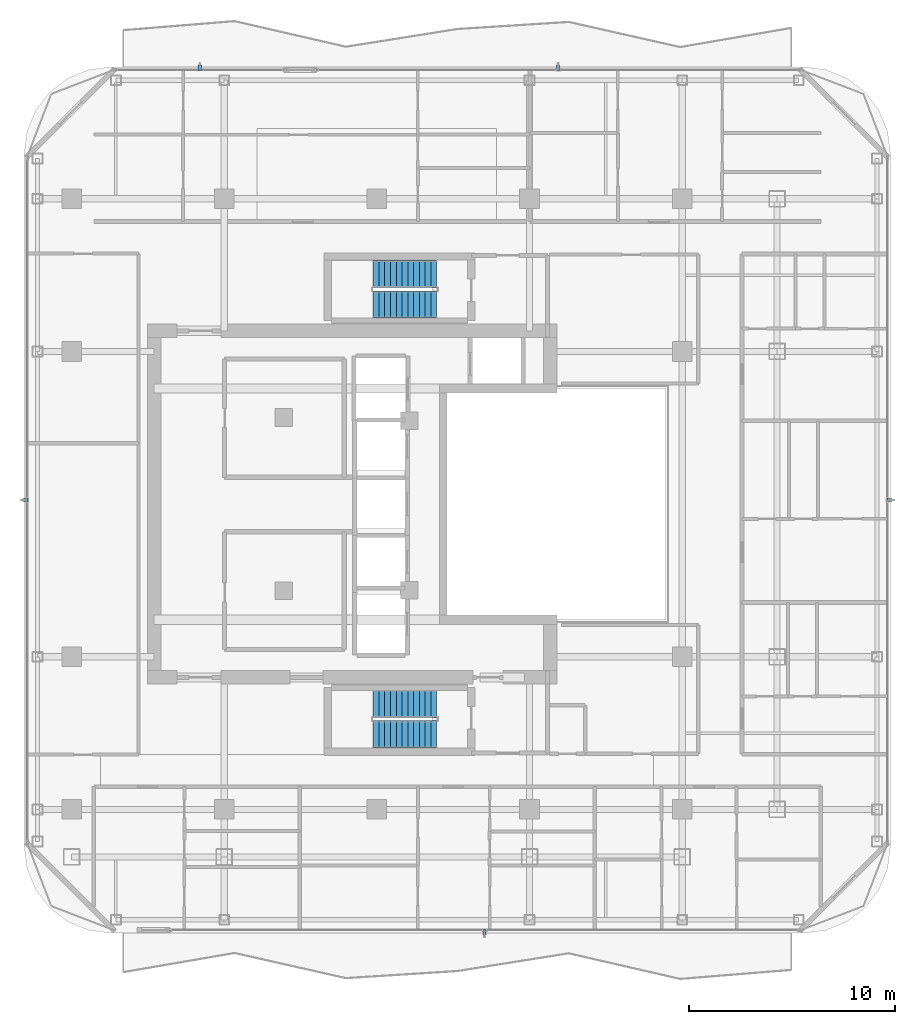
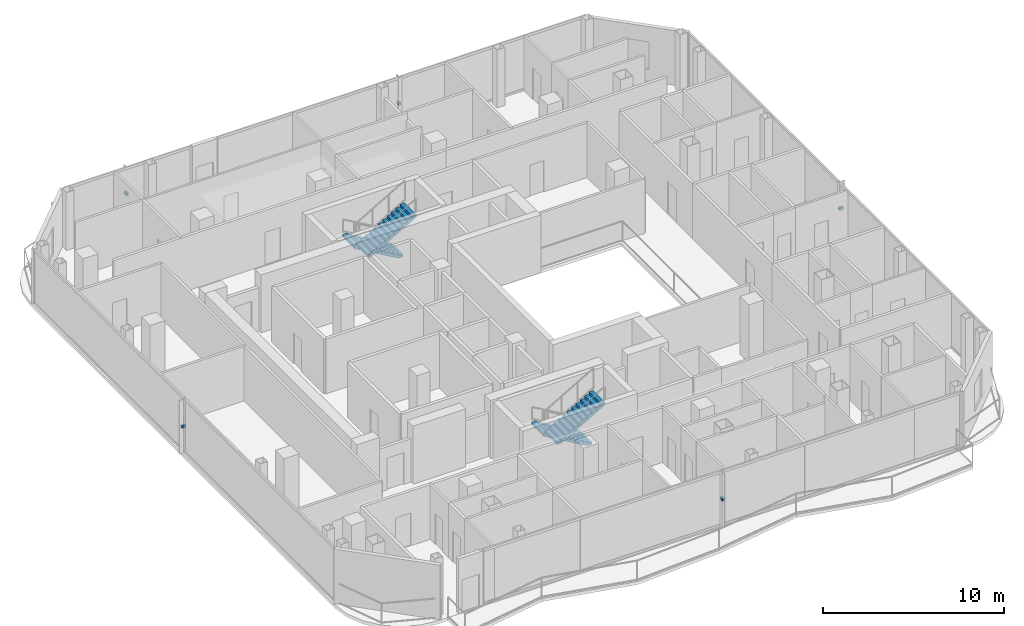
# One storey, part 21 of 26: 5 discrete accessories, 4 stair flights, 2 elements without a shape of their own.
"""IFC4 building model written with IfcOpenShell, lengths in metres."""

import ifcopenshell
import ifcopenshell.guid

model = None  # the IFC model being written
_history = None  # IfcOwnerHistory: only IFC2X3 demands one
_inside = {}  # id of a spatial element -> (the spatial element, [elements in it])
_under = {}  # id of a project, library or spatial element -> (it, [spatial elements below it])
_declared = {}  # id of a project -> (the project, [libraries it declares])
_typed = {}  # id of a type object -> (the type object, [elements of that type])
_made_of = {}  # id of a material, layer set ... -> (it, [elements and type objects made of it])


def new_model(schema):
    """Start an empty IFC model of exactly this schema.

    Asked for "IFC4X3", IfcOpenShell would pick the latest addendum, in which some entities
    have other attributes; the version numbers below select the first issue.
    IFC2X3 requires an IfcOwnerHistory on every rooted entity: one is made here for all.
    """
    global model, _history
    if schema == "IFC4X3":
        model = ifcopenshell.file(schema_version=(4, 3, 0, 0))
    else:
        model = ifcopenshell.file(schema=schema)
    _inside.clear()
    _under.clear()
    _declared.clear()
    _typed.clear()
    _made_of.clear()
    _history = None
    if model.schema == "IFC2X3":
        org = make("IfcOrganization", Name="unknown")
        user = make(
            "IfcPersonAndOrganization",
            ThePerson=make("IfcPerson", FamilyName="unknown"),
            TheOrganization=org,
        )
        app = make(
            "IfcApplication",
            ApplicationDeveloper=org,
            Version="unknown",
            ApplicationFullName="unknown",
            ApplicationIdentifier="unknown",
        )
        _history = make(
            "IfcOwnerHistory",
            OwningUser=user,
            OwningApplication=app,
            ChangeAction="ADDED",
            CreationDate=0,
        )
    return model


def make(cls, **values):
    """One entity of the class cls with the attributes given. An attribute that is None is left unset."""
    return model.create_entity(
        cls, **{name: value for name, value in values.items() if value is not None}
    )


def rooted(cls, **values):
    """An entity with a GlobalId (a new one), such as an element, a storey or a relation."""
    return make(cls, GlobalId=ifcopenshell.guid.new(), OwnerHistory=_history, **values)


def si_unit(unit_type, name, prefix=None):
    """IfcSIUnit, for example si_unit("LENGTHUNIT", "METRE", prefix="MILLI")."""
    return make("IfcSIUnit", UnitType=unit_type, Prefix=prefix, Name=name)


def assignment(units):
    """IfcUnitAssignment: the units of a project."""
    return None if units is None else make("IfcUnitAssignment", Units=units)


def point(xyz):
    """IfcCartesianPoint."""
    return None if xyz is None else make("IfcCartesianPoint", Coordinates=xyz)


def direction(xyz):
    """IfcDirection."""
    return None if xyz is None else make("IfcDirection", DirectionRatios=xyz)


def frame(location, z_axis=None, x_axis=None):
    """IfcAxis2Placement3D, a coordinate frame: its origin and axes. An axis left out is left unset."""
    return make(
        "IfcAxis2Placement3D",
        Location=point(location),
        Axis=direction(z_axis),
        RefDirection=direction(x_axis),
    )


def frame_2d(location, x_axis=None):
    """IfcAxis2Placement2D, a coordinate frame in the plane: its origin and x axis."""
    return make(
        "IfcAxis2Placement2D", Location=point(location), RefDirection=direction(x_axis)
    )


def origin():
    """The frame at (0, 0, 0) with its axes left unset."""
    return frame((0.0, 0.0, 0.0))


def origin_2d():
    """The frame at (0, 0) in the plane with its x axis left unset."""
    return frame_2d((0.0, 0.0))


def place(relative_to, where):
    """IfcLocalPlacement: puts the frame where relative to a parent placement (None: the world)."""
    return make(
        "IfcLocalPlacement", PlacementRelTo=relative_to, RelativePlacement=where
    )


def context(
    kind, dimensions, precision=None, world=None, true_north=None, identifier=None
):
    """IfcGeometricRepresentationContext, for example the 3D "Model" context."""
    return make(
        "IfcGeometricRepresentationContext",
        ContextIdentifier=identifier,
        ContextType=kind,
        CoordinateSpaceDimension=dimensions,
        Precision=precision,
        WorldCoordinateSystem=world,
        TrueNorth=true_north,
    )


def subcontext(parent, identifier, kind, view, scale=None):
    """IfcGeometricRepresentationSubContext, for example "Body" below "Model"."""
    return make(
        "IfcGeometricRepresentationSubContext",
        ContextIdentifier=identifier,
        ContextType=kind,
        ParentContext=parent,
        TargetScale=scale,
        TargetView=view,
    )


def project(units=None, contexts=None):
    """IfcProject with its units and contexts."""
    return rooted(
        "IfcProject",
        Name="project",
        RepresentationContexts=contexts,
        UnitsInContext=assignment(units),
    )


def spatial(cls, under=None, at=None, **own):
    """A site, building, storey or space (cls), placed at a placement, below another one or the project."""
    s = rooted(cls, ObjectPlacement=at, **own)
    if under is not None:
        _under.setdefault(under.id(), (under, []))[1].append(s)
    return s


def polyline(points):
    """IfcPolyline through the points."""
    return make("IfcPolyline", Points=[point(p) for p in points])


def profile(cls, at=None, kind="AREA", **sizes):
    """A parametric profile (cls). Its sizes go by their IFC names, for example OverallWidth=200.0."""
    return make(cls, ProfileType=kind, Position=at, **sizes)


def rectangle(**sizes):
    """IfcRectangleProfileDef."""
    return profile("IfcRectangleProfileDef", **sizes)


def outline(outer, holes=None, kind="AREA"):
    """IfcArbitraryClosedProfileDef: a profile drawn as a closed curve; with holes, ...WithVoids."""
    if holes is None:
        return make("IfcArbitraryClosedProfileDef", ProfileType=kind, OuterCurve=outer)
    return make(
        "IfcArbitraryProfileDefWithVoids",
        ProfileType=kind,
        OuterCurve=outer,
        InnerCurves=holes,
    )


def extrude(swept, where, along, depth):
    """IfcExtrudedAreaSolid: the profile swept, set in the frame where, extruded along a direction by depth."""
    return make(
        "IfcExtrudedAreaSolid",
        SweptArea=swept,
        Position=where,
        ExtrudedDirection=direction(along),
        Depth=depth,
    )


def shape(context_of_items, identifier, shape_type, items):
    """IfcShapeRepresentation: the items that make up one representation, for example the "Body"."""
    return make(
        "IfcShapeRepresentation",
        ContextOfItems=context_of_items,
        RepresentationIdentifier=identifier,
        RepresentationType=shape_type,
        Items=items,
    )


def material(Name=None, Category=None):
    """IfcMaterial."""
    return make("IfcMaterial", Name=Name, Category=Category)


def made_of(thing, what):
    """Note that an element or type object is made of a material, layer set ...; save() writes the relation."""
    if what is not None:
        _made_of.setdefault(what.id(), (what, []))[1].append(thing)
    return thing


def type_object(cls, material=None, **own):
    """A type object (cls), such as IfcWallType, which elements share."""
    return made_of(rooted(cls, **own), material)


def element(
    cls,
    number,
    at=None,
    inside=None,
    cuts=None,
    type_object=None,
    material=None,
    context=None,
    identifier="Body",
    shape_type=None,
    held_by="IfcProductDefinitionShape",
    body=None,
    shapes=None,
    **own,
):
    """One element of the class cls, such as IfcWall. Its Tag is "e" and its number.

    at: its placement. inside: the storey or other place that contains it. cuts: it is an
    opening in that element (IfcRelVoidsElement). A single representation is given by context,
    identifier, shape_type and body (its items); several are given by shapes. held_by: the class
    of the entity that holds the representations. save() writes the other relations.
    """
    e = rooted(cls, Tag="e%d" % number, ObjectPlacement=at, **own)
    if body is not None:
        shapes = [shape(context, identifier, shape_type, body)]
    if shapes is not None:
        e.Representation = make(held_by, Representations=shapes)
    if inside is not None:
        _inside.setdefault(inside.id(), (inside, []))[1].append(e)
    if cuts is not None:
        rooted(
            "IfcRelVoidsElement", RelatingBuildingElement=cuts, RelatedOpeningElement=e
        )
    if type_object is not None:
        _typed.setdefault(type_object.id(), (type_object, []))[1].append(e)
    return made_of(e, material)


def aggregate(whole, parts):
    """IfcRelAggregates: a whole, such as a stair, and the parts it consists of."""
    return rooted("IfcRelAggregates", RelatingObject=whole, RelatedObjects=parts)


def save(model, path):
    """Write the relations noted so far, then the file.

    IfcRelAggregates (storeys below a building ...), IfcRelContainedInSpatialStructure (elements
    in a storey), IfcRelDefinesByType, IfcRelAssociatesMaterial and IfcRelDeclares: one each for
    every whole, place, type object, material and project.
    """
    for whole, parts in _under.values():
        aggregate(whole, parts)
    for where, things in _inside.values():
        rooted(
            "IfcRelContainedInSpatialStructure",
            RelatedElements=things,
            RelatingStructure=where,
        )
    for kind, things in _typed.values():
        rooted("IfcRelDefinesByType", RelatedObjects=things, RelatingType=kind)
    for what, things in _made_of.values():
        rooted("IfcRelAssociatesMaterial", RelatedObjects=things, RelatingMaterial=what)
    for by, libraries in _declared.values():
        rooted("IfcRelDeclares", RelatingContext=by, RelatedDefinitions=libraries)
    model.write(path)


model = new_model("IFC4")

# Units and contexts
model_context = context("Model", 3, precision=1e-05, world=origin(), true_north=direction((0.0, 1.0)))
body_context = subcontext(model_context, "Body", "Model", "MODEL_VIEW")
ifc_project = project(units=[si_unit("LENGTHUNIT", "METRE"), si_unit("AREAUNIT", "SQUARE_METRE"), si_unit("VOLUMEUNIT", "CUBIC_METRE"), si_unit("PLANEANGLEUNIT", "RADIAN"), si_unit("MASSUNIT", "GRAM", prefix="KILO")], contexts=[model_context])

# Site, building, storey
site_placement = place(None, origin())
site = spatial("IfcSite", under=ifc_project, at=site_placement, CompositionType="ELEMENT")
building_placement = place(site_placement, origin())
building = spatial("IfcBuilding", under=site, at=building_placement, Name="Khorvyn Point Tower", CompositionType="ELEMENT")
storey_placement = place(building_placement, frame((0.0, 0.0, 262.5)))
storey = spatial("IfcBuildingStorey", under=building, at=storey_placement, Name="L64", CompositionType="ELEMENT", Elevation=262.5)

# Stair, stair flights
ifc_material_1 = material(Name="Concrete C40/50", Category="concrete")
stair_type = type_object("IfcStairType", Name="Tower Concrete C40/50 Dogleg Exit Stair", PredefinedType="HALF_TURN_STAIR", material=ifc_material_1)
stair_1_placement = place(storey_placement, origin())
stair_1 = element("IfcStair", 1, at=stair_1_placement, inside=storey, type_object=stair_type, Name="L64 Tower Smokeproof Exit Stair South", PredefinedType="HALF_TURN_STAIR")
stair_flight_type = type_object("IfcStairFlightType", Name="Tower Concrete C40/50 Stair Flight", PredefinedType="STRAIGHT", material=ifc_material_1)
stair_flight_1_placement = place(storey_placement, frame((2.89990234375, -9.679931640625, 0.0), z_axis=(0.0, 0.0, 1.0), x_axis=(-1.0, 0.0, 0.0)))
stair_flight_1 = element("IfcStairFlight", 2, at=stair_flight_1_placement, type_object=stair_flight_type, Name="ST-01 flight 1", NumberOfRisers=12, NumberOfTreads=11, PredefinedType="STRAIGHT", RiserHeight=0.1625, TreadLength=0.28, context=body_context, shape_type="SweptSolid", body=[
    extrude(outline(polyline([(0.0, 0.0), (0.0, 0.16259765625), (0.280029296875, 0.16259765625), (0.280029296875, 0.324951171875), (0.56005859375, 0.324951171875), (0.56005859375, 0.487548828125), (0.840087890625, 0.487548828125), (0.840087890625, 0.64990234375), (1.1201171875, 0.64990234375), (1.1201171875, 0.8125), (1.39990234375, 0.8125), (1.39990234375, 0.97509765625), (1.679931640625, 0.97509765625), (1.679931640625, 1.137451171875), (1.9599609375, 1.137451171875), (1.9599609375, 1.300048828125), (2.239990234375, 1.300048828125), (2.239990234375, 1.46240234375), (2.52001953125, 1.46240234375), (2.52001953125, 1.625), (2.800048828125, 1.625), (2.800048828125, 1.78759765625), (3.080078125, 1.78759765625), (3.080078125, 1.949951171875), (3.080078125, 1.6142578125), (0.298583984375, 0.0), (0.0, 0.0)])), frame((0.0, 0.66015625, 0.0), z_axis=(0.0, -1.0, 0.0), x_axis=(1.0, 0.0, 0.0)), (0.0, 0.0, 1.0), 1.320068359375),
])
stair_flight_2_placement = place(storey_placement, frame((-0.179931640625, -11.159912109375, 1.949951171875), z_axis=(0.0, 0.0, 1.0), x_axis=(1.0, 0.0, 0.0)))
stair_flight_2 = element("IfcStairFlight", 3, at=stair_flight_2_placement, type_object=stair_flight_type, Name="ST-01 flight 2", NumberOfRisers=12, NumberOfTreads=11, PredefinedType="STRAIGHT", RiserHeight=0.1625, TreadLength=0.28, context=body_context, shape_type="SweptSolid", body=[
    extrude(outline(polyline([(0.0, 0.0), (0.0, 0.16259765625), (0.280029296875, 0.16259765625), (0.280029296875, 0.324951171875), (0.56005859375, 0.324951171875), (0.56005859375, 0.487548828125), (0.840087890625, 0.487548828125), (0.840087890625, 0.64990234375), (1.1201171875, 0.64990234375), (1.1201171875, 0.8125), (1.39990234375, 0.8125), (1.39990234375, 0.97509765625), (1.679931640625, 0.97509765625), (1.679931640625, 1.137451171875), (1.9599609375, 1.137451171875), (1.9599609375, 1.300048828125), (2.239990234375, 1.300048828125), (2.239990234375, 1.46240234375), (2.52001953125, 1.46240234375), (2.52001953125, 1.625), (2.800048828125, 1.625), (2.800048828125, 1.78759765625), (3.080078125, 1.78759765625), (3.080078125, 1.949951171875), (3.080078125, 1.6142578125), (0.298583984375, 0.0), (0.0, 0.0)])), frame((0.0, 0.66015625, 0.0), z_axis=(0.0, -1.0, 0.0), x_axis=(1.0, 0.0, 0.0)), (0.0, 0.0, 1.0), 1.320068359375),
])
aggregate(stair_1, [stair_flight_1, stair_flight_2])

stair_2_placement = place(storey_placement, origin())
stair_2 = element("IfcStair", 4, at=stair_2_placement, inside=storey, type_object=stair_type, Name="L64 Tower Smokeproof Exit Stair North", PredefinedType="HALF_TURN_STAIR")
stair_flight_3_placement = place(storey_placement, frame((2.89990234375, 11.159912109375, 0.0), z_axis=(0.0, 0.0, 1.0), x_axis=(-1.0, 0.0, 0.0)))
stair_flight_3 = element("IfcStairFlight", 5, at=stair_flight_3_placement, type_object=stair_flight_type, Name="ST-02 flight 1", NumberOfRisers=12, NumberOfTreads=11, PredefinedType="STRAIGHT", RiserHeight=0.1625, TreadLength=0.28, context=body_context, shape_type="SweptSolid", body=[
    extrude(outline(polyline([(0.0, 0.0), (0.0, 0.16259765625), (0.280029296875, 0.16259765625), (0.280029296875, 0.324951171875), (0.56005859375, 0.324951171875), (0.56005859375, 0.487548828125), (0.840087890625, 0.487548828125), (0.840087890625, 0.64990234375), (1.1201171875, 0.64990234375), (1.1201171875, 0.8125), (1.39990234375, 0.8125), (1.39990234375, 0.97509765625), (1.679931640625, 0.97509765625), (1.679931640625, 1.137451171875), (1.9599609375, 1.137451171875), (1.9599609375, 1.300048828125), (2.239990234375, 1.300048828125), (2.239990234375, 1.46240234375), (2.52001953125, 1.46240234375), (2.52001953125, 1.625), (2.800048828125, 1.625), (2.800048828125, 1.78759765625), (3.080078125, 1.78759765625), (3.080078125, 1.949951171875), (3.080078125, 1.6142578125), (0.298583984375, 0.0), (0.0, 0.0)])), frame((0.0, 0.66015625, 0.0), z_axis=(0.0, -1.0, 0.0), x_axis=(1.0, 0.0, 0.0)), (0.0, 0.0, 1.0), 1.320068359375),
])
stair_flight_4_placement = place(storey_placement, frame((-0.179931640625, 9.679931640625, 1.949951171875), z_axis=(0.0, 0.0, 1.0), x_axis=(1.0, 0.0, 0.0)))
stair_flight_4 = element("IfcStairFlight", 6, at=stair_flight_4_placement, type_object=stair_flight_type, Name="ST-02 flight 2", NumberOfRisers=12, NumberOfTreads=11, PredefinedType="STRAIGHT", RiserHeight=0.1625, TreadLength=0.28, context=body_context, shape_type="SweptSolid", body=[
    extrude(outline(polyline([(0.0, 0.0), (0.0, 0.16259765625), (0.280029296875, 0.16259765625), (0.280029296875, 0.324951171875), (0.56005859375, 0.324951171875), (0.56005859375, 0.487548828125), (0.840087890625, 0.487548828125), (0.840087890625, 0.64990234375), (1.1201171875, 0.64990234375), (1.1201171875, 0.8125), (1.39990234375, 0.8125), (1.39990234375, 0.97509765625), (1.679931640625, 0.97509765625), (1.679931640625, 1.137451171875), (1.9599609375, 1.137451171875), (1.9599609375, 1.300048828125), (2.239990234375, 1.300048828125), (2.239990234375, 1.46240234375), (2.52001953125, 1.46240234375), (2.52001953125, 1.625), (2.800048828125, 1.625), (2.800048828125, 1.78759765625), (3.080078125, 1.78759765625), (3.080078125, 1.949951171875), (3.080078125, 1.6142578125), (0.298583984375, 0.0), (0.0, 0.0)])), frame((0.0, 0.66015625, 0.0), z_axis=(0.0, -1.0, 0.0), x_axis=(1.0, 0.0, 0.0)), (0.0, 0.0, 1.0), 1.320068359375),
])
aggregate(stair_2, [stair_flight_3, stair_flight_4])

# Discrete accessories
ifc_material_2 = material(Name="Stainless steel 1.4401", Category="steel")
discrete_accessory_type = type_object("IfcDiscreteAccessoryType", Name="Stainless Steel 316 Facade Fin Fixing Bracket", PredefinedType="BRACKET", material=ifc_material_2)
for number, where, z_axis, x_axis, name in (
    (7, (5.220458984375, -20.75, 1.76025390625), (0.0, 0.0, 1.0), (-1.0, 0.0, 0.0), "L64 Solar Fin Fixing Bracket 01"),
    (8, (-8.58740234375, 21.14990234375, 1.76025390625), (0.0, 0.0, 1.0), (1.0, 0.0, 0.0), "L64 Solar Fin Fixing Bracket 01"),
    (9, (8.782470703125, 21.14990234375, 1.76025390625), (0.0, 0.0, 1.0), (1.0, 0.0, 0.0), "L64 Solar Fin Fixing Bracket 01"),
    (10, (-17.050048828125, 0.199951171875, 1.76025390625), (0.0, 0.0, 1.0), (0.0, 1.0, 0.0), "L64 Solar Fin Fixing Bracket 01"),
    (11, (24.85009765625, 0.199951171875, 1.76025390625), (0.0, 0.0, 1.0), (0.0, -1.0, 0.0), "L64 Solar Fin Fixing Bracket 01"),
):
    element("IfcDiscreteAccessory", number, at=place(storey_placement, frame(where, z_axis=z_axis, x_axis=x_axis)), inside=storey, type_object=discrete_accessory_type, Name=name, PredefinedType="BRACKET", context=body_context, shape_type="SweptSolid", body=[
        extrude(rectangle(XDim=0.159912109375, YDim=0.260009765625, at=origin_2d()), origin(), (0.0, 0.0, 1.0), 0.159912109375),
    ])

save(model, "model.ifc")
